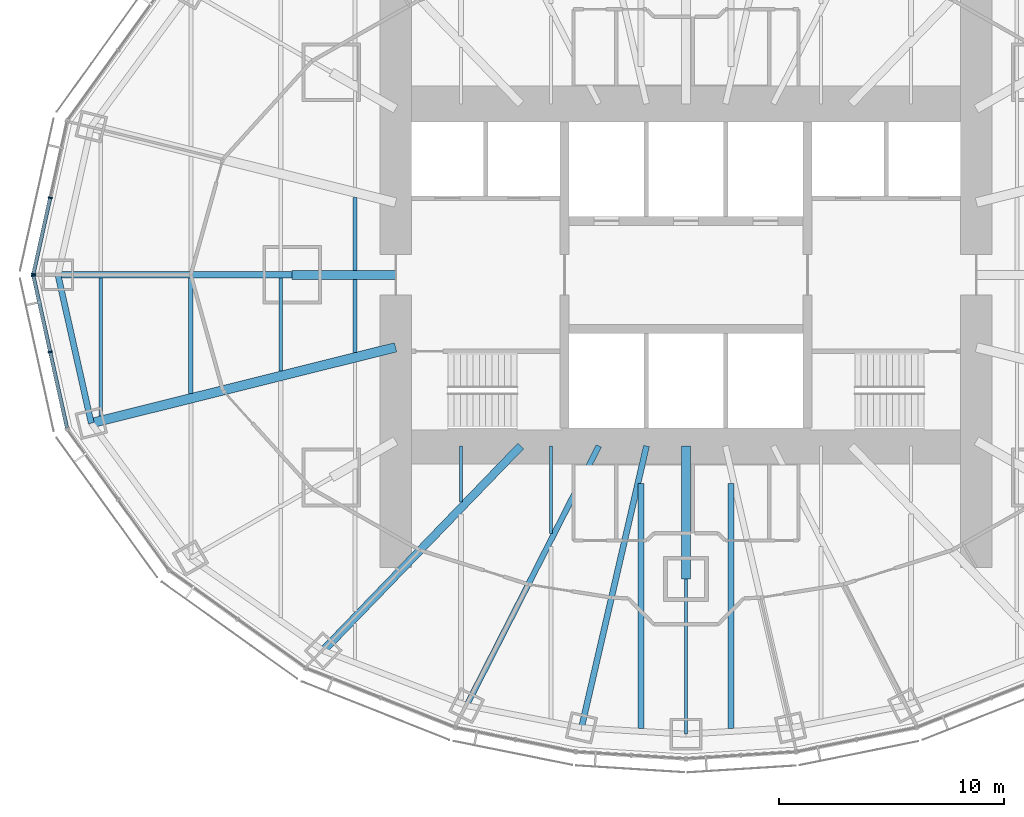
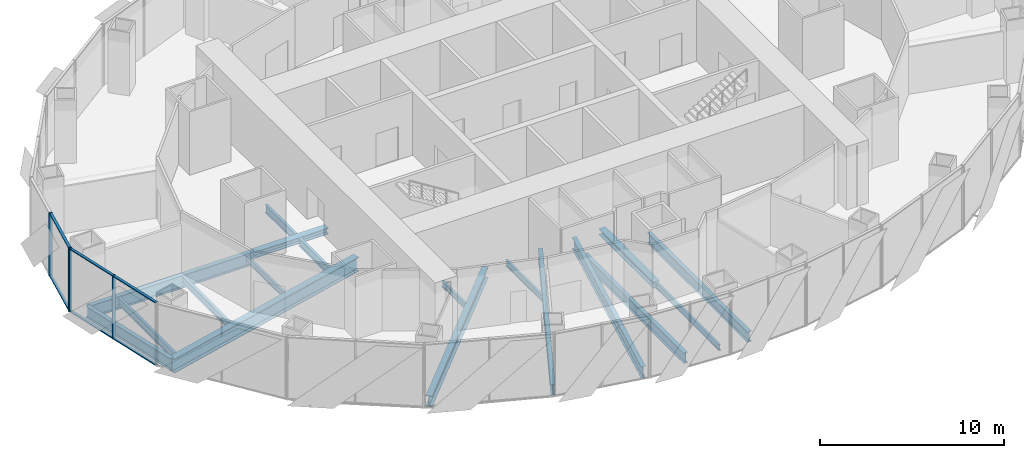
# One storey, part 3 of 18: 18 beams, 10 members, 2 elements without a shape of their own.
"""IFC4 building model written with IfcOpenShell, lengths in metres."""

from ifc_helpers import new_model, si_unit, direction, frame, origin, origin_2d, place, context, subcontext, project, spatial, rectangle, i_section, extrude, material, material_profile, profile_set, type_object, element, aggregate, save


model = new_model("IFC4")

# Units and contexts
model_context = context("Model", 3, precision=1e-05, world=origin(), true_north=direction((0.0, 1.0)))
body_context = subcontext(model_context, "Body", "Model", "MODEL_VIEW")
ifc_project = project(units=[si_unit("LENGTHUNIT", "METRE"), si_unit("AREAUNIT", "SQUARE_METRE"), si_unit("VOLUMEUNIT", "CUBIC_METRE"), si_unit("PLANEANGLEUNIT", "RADIAN"), si_unit("MASSUNIT", "GRAM", prefix="KILO")], contexts=[model_context])

# Site, building, storey
site_placement = place(None, origin())
site = spatial("IfcSite", under=ifc_project, at=site_placement, CompositionType="ELEMENT")
building_placement = place(site_placement, origin())
building = spatial("IfcBuilding", under=site, at=building_placement, Name="Lantaw Convention Tower", CompositionType="ELEMENT")
storey_placement = place(building_placement, frame((0.0, 0.0, 176.199951171875)))
storey = spatial("IfcBuildingStorey", under=building, at=storey_placement, Name="L41", CompositionType="ELEMENT", Elevation=176.199951171875)

# Beams
ifc_material_1 = material(Name="Steel ASTM A992", Category="steel")
ifc_material_profile_1 = material_profile(ifc_material_1, i_section(OverallWidth=0.2666015625, OverallDepth=0.76953125, WebThickness=0.015625, FlangeThickness=0.025390625, FilletRadius=0.0126953125, at=origin_2d()), Name="W30X132")
ifc_profile_set_1 = profile_set([ifc_material_profile_1], Name="Steel ASTM A992")
beam_type_1 = type_object("IfcBeamType", Name="Beam E W30X132", PredefinedType="SPANDREL", material=ifc_profile_set_1)
beam_1_placement = place(storey_placement, frame((-27.89990234375, 0.0, -0.53466796875), z_axis=(0.219211877447, -0.975677279015, 0.0), x_axis=(0.975677279015, 0.219211877447, 0.0)))
element("IfcBeam", 1, at=beam_1_placement, inside=storey, type_object=beam_type_1, Name="Edge beam 13", PredefinedType="SPANDREL", context=body_context, shape_type="SweptSolid", body=[
    extrude(i_section(OverallWidth=0.2666015625, OverallDepth=0.76953125, WebThickness=0.015625, FlangeThickness=0.025390625, FilletRadius=0.0126953125, at=origin_2d()), origin(), (0.0, 0.0, 1.0), 6.75146484375),
])
ifc_material_profile_2 = material_profile(ifc_material_1, i_section(OverallWidth=0.140380859375, OverallDepth=0.40380859375, WebThickness=0.007080078125, FlangeThickness=0.01123046875, FilletRadius=0.01025390625, at=origin_2d()), Name="W16X31")
ifc_profile_set_2 = profile_set([ifc_material_profile_2], Name="Steel ASTM A992")
beam_type_2 = type_object("IfcBeamType", Name="Beam G W16X31", PredefinedType="BEAM", material=ifc_profile_set_2)
beam_2_placement = place(storey_placement, frame((0.0, -13.5, -0.351806640625), z_axis=(0.0, -1.0, 0.0), x_axis=(1.0, 0.0, 0.0)))
element("IfcBeam", 2, at=beam_2_placement, inside=storey, type_object=beam_type_2, Name="Floor girder on ray 19", PredefinedType="BEAM", context=body_context, shape_type="SweptSolid", body=[
    extrude(i_section(OverallWidth=0.140380859375, OverallDepth=0.40380859375, WebThickness=0.007080078125, FlangeThickness=0.01123046875, FilletRadius=0.01025390625, at=origin_2d()), origin(), (0.0, 0.0, 1.0), 6.89990234375),
])
ifc_material_profile_3 = material_profile(ifc_material_1, i_section(OverallWidth=0.25390625, OverallDepth=0.700927734375, WebThickness=0.015380859375, FlangeThickness=0.02783203125, FilletRadius=0.01513671875, at=origin_2d()), Name="W27X129")
ifc_profile_set_3 = profile_set([ifc_material_profile_3], Name="Steel ASTM A992")
beam_type_3 = type_object("IfcBeamType", Name="Beam G W27X129", PredefinedType="BEAM", material=ifc_profile_set_3)
beam_3_placement = place(storey_placement, frame((-3.872314453125, -7.60009765625, -0.50048828125), z_axis=(-0.453991051051, -0.891006243281, 0.0), x_axis=(0.891006243281, -0.453991051051, 0.0)))
element("IfcBeam", 3, at=beam_3_placement, inside=storey, type_object=beam_type_3, Name="Floor girder on ray 17", PredefinedType="BEAM", context=body_context, shape_type="SweptSolid", body=[
    extrude(i_section(OverallWidth=0.25390625, OverallDepth=0.700927734375, WebThickness=0.015380859375, FlangeThickness=0.02783203125, FilletRadius=0.01513671875, at=origin_2d()), origin(), (0.0, 0.0, 1.0), 12.943359375),
])
ifc_material_profile_4 = material_profile(ifc_material_1, i_section(OverallWidth=0.360595703125, OverallDepth=0.72900390625, WebThickness=0.023193359375, FlangeThickness=0.041015625, FilletRadius=0.0126953125, at=origin_2d()), Name="W27X235")
ifc_profile_set_4 = profile_set([ifc_material_profile_4], Name="Steel ASTM A992")
beam_type_4 = type_object("IfcBeamType", Name="Beam G W27X235", PredefinedType="BEAM", material=ifc_profile_set_4)
beam_4_placement = place(storey_placement, frame((-7.33935546875, -7.60009765625, -0.514404296875), z_axis=(-0.694663467407, -0.719334878239, 0.0), x_axis=(0.719334878239, -0.694663467407, 0.0)))
element("IfcBeam", 4, at=beam_4_placement, inside=storey, type_object=beam_type_4, Name="Floor girder on ray 16", PredefinedType="BEAM", context=body_context, shape_type="SweptSolid", body=[
    extrude(i_section(OverallWidth=0.360595703125, OverallDepth=0.72900390625, WebThickness=0.023193359375, FlangeThickness=0.041015625, FilletRadius=0.0126953125, at=origin_2d()), origin(), (0.0, 0.0, 1.0), 12.63671875),
])
ifc_material_profile_5 = material_profile(ifc_material_1, i_section(OverallWidth=0.2666015625, OverallDepth=0.7568359375, WebThickness=0.013916015625, FlangeThickness=0.019287109375, FilletRadius=0.0126953125, at=origin_2d()), Name="W30X108")
ifc_profile_set_5 = profile_set([ifc_material_profile_5], Name="Steel ASTM A992")
beam_type_5 = type_object("IfcBeamType", Name="Beam G W30X108", PredefinedType="BEAM", material=ifc_profile_set_5)
beam_5_placement = place(storey_placement, frame((-1.754638671875, -7.60009765625, -0.5283203125), z_axis=(-0.224944153104, -0.974371658036, 0.0), x_axis=(0.974371658036, -0.224944153104, 0.0)))
element("IfcBeam", 5, at=beam_5_placement, inside=storey, type_object=beam_type_5, Name="Floor girder on ray 18", PredefinedType="BEAM", context=body_context, shape_type="SweptSolid", body=[
    extrude(i_section(OverallWidth=0.2666015625, OverallDepth=0.7568359375, WebThickness=0.013916015625, FlangeThickness=0.019287109375, FilletRadius=0.0126953125, at=origin_2d()), origin(), (0.0, 0.0, 1.0), 12.849365234375),
])
ifc_material_profile_6 = material_profile(ifc_material_1, i_section(OverallWidth=0.2919921875, OverallDepth=0.845703125, WebThickness=0.015380859375, FlangeThickness=0.0244140625, FilletRadius=0.01513671875, at=origin_2d()), Name="W33X141")
ifc_profile_set_6 = profile_set([ifc_material_profile_6], Name="Steel ASTM A992")
beam_type_6 = type_object("IfcBeamType", Name="Beam G W33X141", PredefinedType="BEAM", material=ifc_profile_set_6)
beam_6_placement = place(storey_placement, frame((-17.5, 0.0, -0.57275390625), z_axis=(-1.0, 0.0, 0.0), x_axis=(0.0, -1.0, 0.0)))
element("IfcBeam", 6, at=beam_6_placement, inside=storey, type_object=beam_type_6, Name="Floor girder on ray 13", PredefinedType="BEAM", context=body_context, shape_type="SweptSolid", body=[
    extrude(i_section(OverallWidth=0.2919921875, OverallDepth=0.845703125, WebThickness=0.015380859375, FlangeThickness=0.0244140625, FilletRadius=0.01513671875, at=origin_2d()), origin(), (0.0, 0.0, 1.0), 10.39990234375),
])
ifc_material_profile_7 = material_profile(ifc_material_1, i_section(OverallWidth=0.421630859375, OverallDepth=0.937255859375, WebThickness=0.0224609375, FlangeThickness=0.039794921875, FilletRadius=0.02001953125, at=origin_2d()), Name="W36X282")
ifc_profile_set_7 = profile_set([ifc_material_profile_7], Name="Steel ASTM A992")
beam_type_7 = type_object("IfcBeamType", Name="Beam G W36X282", PredefinedType="BEAM", material=ifc_profile_set_7)
beam_7_placement = place(storey_placement, frame((-12.89990234375, -3.21630859375, -0.61865234375), z_axis=(-0.970296903132, -0.24191717544, 0.0), x_axis=(0.24191717544, -0.970296903132, 0.0)))
element("IfcBeam", 7, at=beam_7_placement, inside=storey, type_object=beam_type_7, Name="Floor girder on ray 14", PredefinedType="BEAM", context=body_context, shape_type="SweptSolid", body=[
    extrude(i_section(OverallWidth=0.421630859375, OverallDepth=0.937255859375, WebThickness=0.0224609375, FlangeThickness=0.039794921875, FilletRadius=0.02001953125, at=origin_2d()), origin(), (0.0, 0.0, 1.0), 13.933837890625),
])
ifc_material_profile_8 = material_profile(ifc_material_1, i_section(OverallWidth=0.40380859375, OverallDepth=0.406494140625, WebThickness=0.027099609375, FlangeThickness=0.043701171875, FilletRadius=0.01513671875, at=origin_2d()), Name="W14X233")
ifc_profile_set_8 = profile_set([ifc_material_profile_8], Name="Steel ASTM A992")
beam_type_8 = type_object("IfcBeamType", Name="Beam GM W14X233", PredefinedType="BEAM", material=ifc_profile_set_8)
beam_8_placement = place(storey_placement, frame((-12.89990234375, 0.0, -0.353271484375), z_axis=(-1.0, 0.0, 0.0), x_axis=(0.0, -1.0, 0.0)))
element("IfcBeam", 8, at=beam_8_placement, inside=storey, type_object=beam_type_8, Name="Core link beam on ray 13", PredefinedType="BEAM", context=body_context, shape_type="SweptSolid", body=[
    extrude(i_section(OverallWidth=0.40380859375, OverallDepth=0.406494140625, WebThickness=0.027099609375, FlangeThickness=0.043701171875, FilletRadius=0.01513671875, at=origin_2d()), origin(), (0.0, 0.0, 1.0), 4.60009765625),
])
beam_9_placement = place(storey_placement, frame((0.0, -7.60009765625, -0.353271484375), z_axis=(0.0, -1.0, 0.0), x_axis=(1.0, 0.0, 0.0)))
element("IfcBeam", 9, at=beam_9_placement, inside=storey, type_object=beam_type_8, Name="Core link beam on ray 19", PredefinedType="BEAM", context=body_context, shape_type="SweptSolid", body=[
    extrude(i_section(OverallWidth=0.40380859375, OverallDepth=0.406494140625, WebThickness=0.027099609375, FlangeThickness=0.043701171875, FilletRadius=0.01513671875, at=origin_2d()), origin(), (0.0, 0.0, 1.0), 5.89990234375),
])
ifc_material_profile_9 = material_profile(ifc_material_1, i_section(OverallWidth=0.140380859375, OverallDepth=0.40380859375, WebThickness=0.007080078125, FlangeThickness=0.01123046875, FilletRadius=0.01025390625, at=origin_2d()), Name="W16X31")
ifc_profile_set_9 = profile_set([ifc_material_profile_9], Name="Steel ASTM A992")
beam_type_9 = type_object("IfcBeamType", Name="Beam J W16X31", PredefinedType="JOIST", material=ifc_profile_set_9)
beam_10_placement = place(storey_placement, frame((-18.0, -4.270751953125, -0.351806640625), z_axis=(0.0, 1.0, 0.0), x_axis=(-1.0, 0.0, 0.0)))
element("IfcBeam", 10, at=beam_10_placement, inside=storey, type_object=beam_type_9, Name="Floor joist", PredefinedType="JOIST", context=body_context, shape_type="SweptSolid", body=[
    extrude(i_section(OverallWidth=0.140380859375, OverallDepth=0.40380859375, WebThickness=0.007080078125, FlangeThickness=0.01123046875, FilletRadius=0.01025390625, at=origin_2d()), origin(), (0.0, 0.0, 1.0), 4.124755859375),
])
beam_11_placement = place(storey_placement, frame((-10.0, -10.095703125, -0.351806640625), z_axis=(0.0, 1.0, 0.0), x_axis=(-1.0, 0.0, 0.0)))
element("IfcBeam", 11, at=beam_11_placement, inside=storey, type_object=beam_type_9, Name="Floor joist", PredefinedType="JOIST", context=body_context, shape_type="SweptSolid", body=[
    extrude(i_section(OverallWidth=0.140380859375, OverallDepth=0.40380859375, WebThickness=0.007080078125, FlangeThickness=0.01123046875, FilletRadius=0.01025390625, at=origin_2d()), origin(), (0.0, 0.0, 1.0), 2.49560546875),
])
beam_12_placement = place(storey_placement, frame((-6.0, -11.495849609375, -0.351806640625), z_axis=(0.0, 1.0, 0.0), x_axis=(-1.0, 0.0, 0.0)))
element("IfcBeam", 12, at=beam_12_placement, inside=storey, type_object=beam_type_9, Name="Floor joist", PredefinedType="JOIST", context=body_context, shape_type="SweptSolid", body=[
    extrude(i_section(OverallWidth=0.140380859375, OverallDepth=0.40380859375, WebThickness=0.007080078125, FlangeThickness=0.01123046875, FilletRadius=0.01025390625, at=origin_2d()), origin(), (0.0, 0.0, 1.0), 3.895751953125),
])
ifc_material_profile_10 = material_profile(ifc_material_1, i_section(OverallWidth=0.1904296875, OverallDepth=0.457275390625, WebThickness=0.009033203125, FlangeThickness=0.014404296875, FilletRadius=0.01025390625, at=origin_2d()), Name="W18X50")
ifc_profile_set_10 = profile_set([ifc_material_profile_10], Name="Steel ASTM A992")
beam_type_10 = type_object("IfcBeamType", Name="Beam J W18X50", PredefinedType="JOIST", material=ifc_profile_set_10)
beam_13_placement = place(storey_placement, frame((-22.0, -5.267822265625, -0.378662109375), z_axis=(0.0, 1.0, 0.0), x_axis=(-1.0, 0.0, 0.0)))
element("IfcBeam", 13, at=beam_13_placement, inside=storey, type_object=beam_type_10, Name="Floor joist", PredefinedType="JOIST", context=body_context, shape_type="SweptSolid", body=[
    extrude(i_section(OverallWidth=0.1904296875, OverallDepth=0.457275390625, WebThickness=0.009033203125, FlangeThickness=0.014404296875, FilletRadius=0.01025390625, at=origin_2d()), origin(), (0.0, 0.0, 1.0), 5.121826171875),
])
ifc_material_profile_11 = material_profile(ifc_material_1, i_section(OverallWidth=0.1650390625, OverallDepth=0.52587890625, WebThickness=0.0087890625, FlangeThickness=0.011474609375, FilletRadius=0.0126953125, at=origin_2d()), Name="W21X44")
ifc_profile_set_11 = profile_set([ifc_material_profile_11], Name="Steel ASTM A992")
beam_type_11 = type_object("IfcBeamType", Name="Beam J W21X44", PredefinedType="JOIST", material=ifc_profile_set_11)
beam_14_placement = place(storey_placement, frame((-26.0, -6.26513671875, -0.412841796875), z_axis=(0.0, 1.0, 0.0), x_axis=(-1.0, 0.0, 0.0)))
element("IfcBeam", 14, at=beam_14_placement, inside=storey, type_object=beam_type_11, Name="Floor joist", PredefinedType="JOIST", context=body_context, shape_type="SweptSolid", body=[
    extrude(i_section(OverallWidth=0.1650390625, OverallDepth=0.52587890625, WebThickness=0.0087890625, FlangeThickness=0.011474609375, FilletRadius=0.0126953125, at=origin_2d()), origin(), (0.0, 0.0, 1.0), 6.119140625),
])
ifc_material_profile_12 = material_profile(ifc_material_1, i_section(OverallWidth=0.165771484375, OverallDepth=0.5283203125, WebThickness=0.009765625, FlangeThickness=0.013671875, FilletRadius=0.012939453125, at=origin_2d()), Name="W21X50")
ifc_profile_set_12 = profile_set([ifc_material_profile_12], Name="Steel ASTM A992")
beam_type_12 = type_object("IfcBeamType", Name="Beam J W21X50", PredefinedType="JOIST", material=ifc_profile_set_12)
for number, where, z_axis, x_axis, name in (
    (15, (-14.699951171875, -3.44775390625, -0.4140625), (0.0, 1.0, 0.0), (-1.0, 0.0, 0.0), "Floor joist"),
    (16, (-14.699951171875, 0.201904296875, -0.4140625), (0.0, 1.0, 0.0), (-1.0, 0.0, 0.0), "Floor joist"),
):
    element("IfcBeam", number, at=place(storey_placement, frame(where, z_axis=z_axis, x_axis=x_axis)), inside=storey, type_object=beam_type_12, Name=name, PredefinedType="JOIST", context=body_context, shape_type="SweptSolid", body=[
        extrude(i_section(OverallWidth=0.165771484375, OverallDepth=0.5283203125, WebThickness=0.009765625, FlangeThickness=0.013671875, FilletRadius=0.012939453125, at=origin_2d()), origin(), (0.0, 0.0, 1.0), 3.245849609375),
    ])
ifc_material_profile_13 = material_profile(ifc_material_1, i_section(OverallWidth=0.25390625, OverallDepth=0.683349609375, WebThickness=0.012451171875, FlangeThickness=0.01904296875, FilletRadius=0.01513671875, at=origin_2d()), Name="W27X94")
ifc_profile_set_13 = profile_set([ifc_material_profile_13], Name="Steel ASTM A992")
beam_type_13 = type_object("IfcBeamType", Name="Beam J W27X94", PredefinedType="JOIST", material=ifc_profile_set_13)
for number, where, z_axis, x_axis, name in (
    (17, (-2.0, -20.145751953125, -0.49169921875), (0.0, 1.0, 0.0), (-1.0, 0.0, 0.0), "Floor joist"),
    (18, (2.0, -20.145751953125, -0.49169921875), (0.0, 1.0, 0.0), (-1.0, 0.0, 0.0), "Floor joist"),
):
    element("IfcBeam", number, at=place(storey_placement, frame(where, z_axis=z_axis, x_axis=x_axis)), inside=storey, type_object=beam_type_13, Name=name, PredefinedType="JOIST", context=body_context, shape_type="SweptSolid", body=[
        extrude(i_section(OverallWidth=0.25390625, OverallDepth=0.683349609375, WebThickness=0.012451171875, FlangeThickness=0.01904296875, FilletRadius=0.01513671875, at=origin_2d()), origin(), (0.0, 0.0, 1.0), 10.889892578125),
    ])

# Curtain wall, members
ifc_material_2 = material(Name="Aluminium framed curtain wall", Category="aluminium")
curtain_wall_type = type_object("IfcCurtainWallType", Name="Office curtain wall low rise, pale aluminium", PredefinedType="USERDEFINED", material=ifc_material_2)
curtain_wall_1_placement = place(storey_placement, origin())
curtain_wall_1 = element("IfcCurtainWall", 19, at=curtain_wall_1_placement, inside=storey, type_object=curtain_wall_type, Name="Office curtain wall low rise, pale aluminium L41", ObjectType="UNITISED CURTAIN WALL", PredefinedType="USERDEFINED")
ifc_material_3 = material(Name="Aluminium 6063-T6", Category="aluminium")
ifc_material_profile_14 = material_profile(ifc_material_3, rectangle(XDim=0.199951171875, YDim=0.06494140625, at=origin_2d()), Name="CW-O1 mullion 65x200")
ifc_profile_set_14 = profile_set([ifc_material_profile_14], Name="Aluminium 6063-T6")
member_type_1 = type_object("IfcMemberType", Name="CW-O1 mullion 65x200", PredefinedType="MULLION", material=ifc_profile_set_14)
member_1_placement = place(storey_placement, frame((-28.24365234375, 3.4267578125, -0.14990234375), z_axis=(0.0, 0.0, 1.0), x_axis=(0.9764936509, -0.215546166174, 0.0)))
member_1 = element("IfcMember", 20, at=member_1_placement, type_object=member_type_1, Name="CW-O1 mullion 2", PredefinedType="MULLION", context=body_context, shape_type="SweptSolid", body=[
    extrude(rectangle(XDim=0.199951171875, YDim=0.06494140625, at=origin_2d()), origin(), (0.0, 0.0, 1.0), 4.199951171875),
])
member_2_placement = place(storey_placement, frame((-28.992919921875, 0.03173828125, -0.14990234375), z_axis=(0.0, 0.0, 1.0), x_axis=(0.9764936509, -0.215546166174, 0.0)))
member_2 = element("IfcMember", 21, at=member_2_placement, type_object=member_type_1, Name="CW-O1 mullion 3", PredefinedType="MULLION", context=body_context, shape_type="SweptSolid", body=[
    extrude(rectangle(XDim=0.199951171875, YDim=0.06494140625, at=origin_2d()), origin(), (0.0, 0.0, 1.0), 4.199951171875),
])

curtain_wall_2_placement = place(storey_placement, origin())
curtain_wall_2 = element("IfcCurtainWall", 22, at=curtain_wall_2_placement, inside=storey, type_object=curtain_wall_type, Name="Office curtain wall low rise, pale aluminium L41", ObjectType="UNITISED CURTAIN WALL", PredefinedType="USERDEFINED")
member_3_placement = place(storey_placement, frame((-28.992919921875, -0.03173828125, -0.14990234375), z_axis=(0.0, 0.0, 1.0), x_axis=(0.9764936509, 0.215546166174, 0.0)))
member_3 = element("IfcMember", 23, at=member_3_placement, type_object=member_type_1, Name="CW-O1 mullion 1", PredefinedType="MULLION", context=body_context, shape_type="SweptSolid", body=[
    extrude(rectangle(XDim=0.199951171875, YDim=0.06494140625, at=origin_2d()), origin(), (0.0, 0.0, 1.0), 4.199951171875),
])
member_4_placement = place(storey_placement, frame((-28.24365234375, -3.4267578125, -0.14990234375), z_axis=(0.0, 0.0, 1.0), x_axis=(0.9764936509, 0.215546166174, 0.0)))
member_4 = element("IfcMember", 24, at=member_4_placement, type_object=member_type_1, Name="CW-O1 mullion 2", PredefinedType="MULLION", context=body_context, shape_type="SweptSolid", body=[
    extrude(rectangle(XDim=0.199951171875, YDim=0.06494140625, at=origin_2d()), origin(), (0.0, 0.0, 1.0), 4.199951171875),
])

# Member
ifc_material_profile_15 = material_profile(ifc_material_3, rectangle(XDim=0.159912109375, YDim=0.06494140625, at=origin_2d()), Name="CW-O1 transom 65x160")
ifc_profile_set_15 = profile_set([ifc_material_profile_15], Name="Aluminium 6063-T6")
member_type_2 = type_object("IfcMemberType", Name="CW-O1 transom 65x160", PredefinedType="USERDEFINED", material=ifc_profile_set_15)
member_5_placement = place(storey_placement, frame((-28.250732421875, 3.39501953125, -0.117431640625), z_axis=(-0.215536096386, -0.976495873598, 0.0), x_axis=(0.976495873598, -0.215536096386, 0.0)))
member_5 = element("IfcMember", 25, at=member_5_placement, type_object=member_type_2, Name="CW-O1 transom 2.1", ObjectType="TRANSOM", PredefinedType="USERDEFINED", context=body_context, shape_type="SweptSolid", body=[
    extrude(rectangle(XDim=0.159912109375, YDim=0.06494140625, at=origin_2d()), origin(), (0.0, 0.0, 1.0), 3.41162109375),
])

member_6_placement = place(storey_placement, frame((-28.250732421875, 3.39501953125, 4.017578125), z_axis=(-0.215536096386, -0.976495873598, 0.0), x_axis=(0.976495873598, -0.215536096386, 0.0)))
member_6 = element("IfcMember", 26, at=member_6_placement, type_object=member_type_2, Name="CW-O1 transom 2.2", ObjectType="TRANSOM", PredefinedType="USERDEFINED", context=body_context, shape_type="SweptSolid", body=[
    extrude(rectangle(XDim=0.159912109375, YDim=0.06494140625, at=origin_2d()), origin(), (0.0, 0.0, 1.0), 3.41162109375),
])

aggregate(curtain_wall_1, [member_1, member_2, member_5, member_6])

member_7_placement = place(storey_placement, frame((-28.986083984375, -0.0634765625, -0.117431640625), z_axis=(0.215536096386, -0.976495873598, 0.0), x_axis=(0.976495873598, 0.215536096386, 0.0)))
member_7 = element("IfcMember", 27, at=member_7_placement, type_object=member_type_2, Name="CW-O1 transom 1.1", ObjectType="TRANSOM", PredefinedType="USERDEFINED", context=body_context, shape_type="SweptSolid", body=[
    extrude(rectangle(XDim=0.159912109375, YDim=0.06494140625, at=origin_2d()), origin(), (0.0, 0.0, 1.0), 3.41162109375),
])

member_8_placement = place(storey_placement, frame((-28.986083984375, -0.0634765625, 4.017578125), z_axis=(0.215536096386, -0.976495873598, 0.0), x_axis=(0.976495873598, 0.215536096386, 0.0)))
member_8 = element("IfcMember", 28, at=member_8_placement, type_object=member_type_2, Name="CW-O1 transom 1.2", ObjectType="TRANSOM", PredefinedType="USERDEFINED", context=body_context, shape_type="SweptSolid", body=[
    extrude(rectangle(XDim=0.159912109375, YDim=0.06494140625, at=origin_2d()), origin(), (0.0, 0.0, 1.0), 3.41162109375),
])

member_9_placement = place(storey_placement, frame((-28.236572265625, -3.45849609375, -0.117431640625), z_axis=(0.21555115847, -0.976492548913, 0.0), x_axis=(0.976492548913, 0.21555115847, 0.0)))
member_9 = element("IfcMember", 29, at=member_9_placement, type_object=member_type_2, Name="CW-O1 transom 2.1", ObjectType="TRANSOM", PredefinedType="USERDEFINED", context=body_context, shape_type="SweptSolid", body=[
    extrude(rectangle(XDim=0.159912109375, YDim=0.06494140625, at=origin_2d()), origin(), (0.0, 0.0, 1.0), 3.411376953125),
])

member_10_placement = place(storey_placement, frame((-28.236572265625, -3.45849609375, 4.017578125), z_axis=(0.21555115847, -0.976492548913, 0.0), x_axis=(0.976492548913, 0.21555115847, 0.0)))
member_10 = element("IfcMember", 30, at=member_10_placement, type_object=member_type_2, Name="CW-O1 transom 2.2", ObjectType="TRANSOM", PredefinedType="USERDEFINED", context=body_context, shape_type="SweptSolid", body=[
    extrude(rectangle(XDim=0.159912109375, YDim=0.06494140625, at=origin_2d()), origin(), (0.0, 0.0, 1.0), 3.411376953125),
])

aggregate(curtain_wall_2, [member_3, member_4, member_7, member_8, member_9, member_10])

save(model, "model.ifc")
